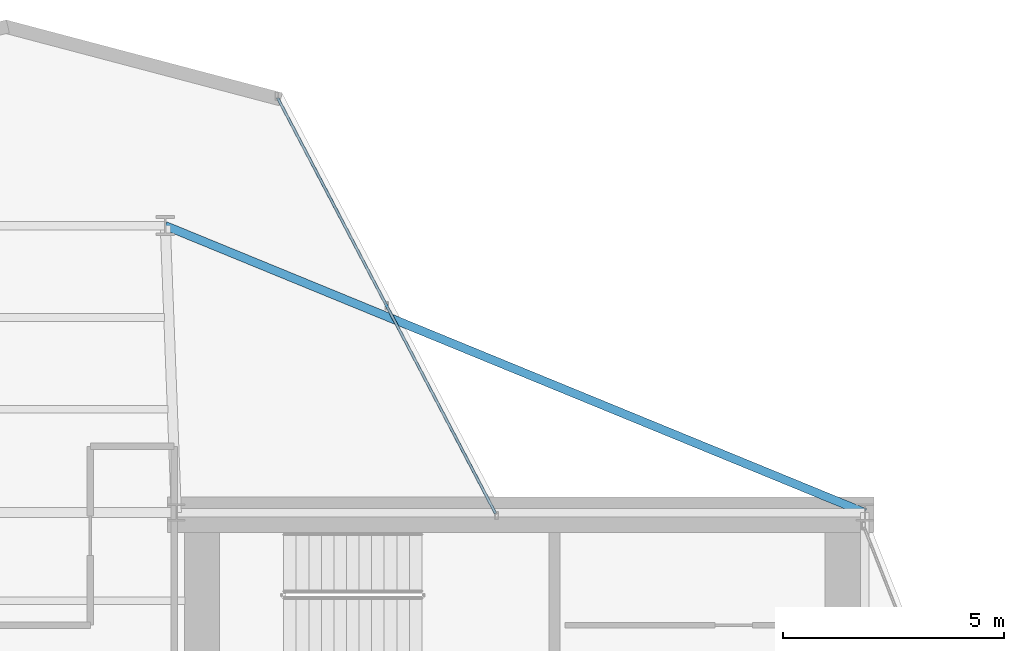
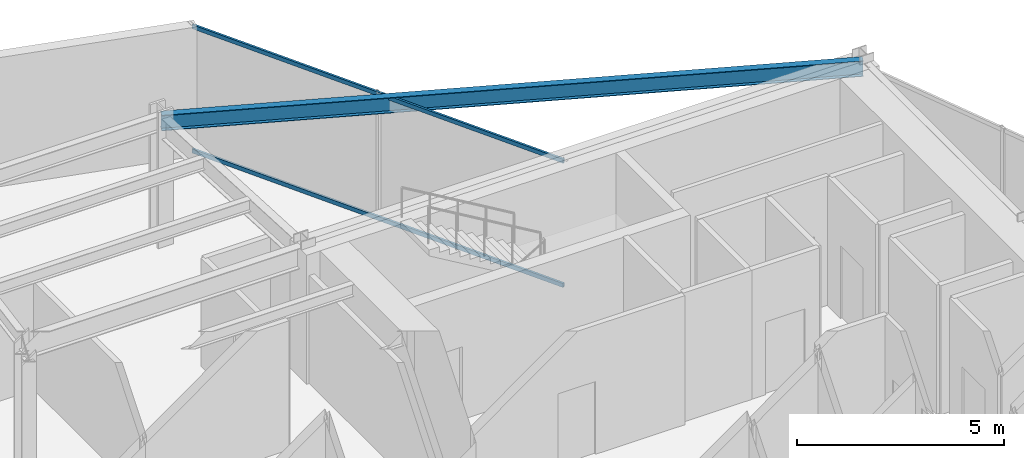
# One storey, part 16 of 25: 2 members, 1 beam, 1 element without a shape of its own.
"""IFC4 building model written with IfcOpenShell, lengths in metres."""

from ifc_helpers import new_model, si_unit, direction, frame, origin, origin_2d, place, context, subcontext, project, spatial, hollow_rectangle, i_section, extrude, material, layer, layer_set, material_profile, profile_set, type_object, element, aggregate, save


model = new_model("IFC4")

# Units and contexts
model_context = context("Model", 3, precision=1e-05, world=origin(), true_north=direction((0.0, 1.0)))
body_context = subcontext(model_context, "Body", "Model", "MODEL_VIEW")
ifc_project = project(units=[si_unit("LENGTHUNIT", "METRE"), si_unit("AREAUNIT", "SQUARE_METRE"), si_unit("VOLUMEUNIT", "CUBIC_METRE"), si_unit("PLANEANGLEUNIT", "RADIAN"), si_unit("MASSUNIT", "GRAM", prefix="KILO")], contexts=[model_context])

# Site, building, storey
site_placement = place(None, origin())
site = spatial("IfcSite", under=ifc_project, at=site_placement, CompositionType="ELEMENT")
building_placement = place(site_placement, origin())
building = spatial("IfcBuilding", under=site, at=building_placement, Name="Veymaron Broadcast Tower", CompositionType="ELEMENT")
storey_placement = place(building_placement, frame((0.0, 0.0, 145.199951171875)))
storey = spatial("IfcBuildingStorey", under=building, at=storey_placement, Name="L33", CompositionType="ELEMENT", Elevation=145.199951171875)

# Beam
ifc_material_1 = material(Name="Structural steel ASTM A992 Gr 50", Category="steel")
ifc_material_profile_1 = material_profile(ifc_material_1, i_section(OverallWidth=0.19091796875, OverallDepth=0.4599609375, WebThickness=0.010009765625, FlangeThickness=0.01611328125, at=origin_2d()), Name="W460X82")
ifc_profile_set_1 = profile_set([ifc_material_profile_1], Name="Structural steel ASTM A992 Gr 50")
beam_type = type_object("IfcBeamType", Name="BM-SP1", PredefinedType="SPANDREL", material=ifc_profile_set_1)
beam_placement = place(storey_placement, frame((54.60009765625, 32.0, 3.580078125), z_axis=(-0.925221989394, 0.379426238342, 0.0), x_axis=(-0.379426238342, -0.925221989394, 0.0)))
element("IfcBeam", 1, at=beam_placement, inside=storey, type_object=beam_type, Name="L33 primary structural floor girder", PredefinedType="SPANDREL", context=body_context, shape_type="SweptSolid", body=[
    extrude(i_section(OverallWidth=0.19091796875, OverallDepth=0.4599609375, WebThickness=0.010009765625, FlangeThickness=0.01611328125, at=origin_2d()), origin(), (0.0, 0.0, 1.0), 17.131103515625),
])

# Curtain wall, members
ifc_material_2 = material(Name="Anodised aluminium AA 6063-T6 and laminated low-E dark glass", Category="aluminium")
ifc_layer = layer(ifc_material_2, 0.179931640625)
ifc_layer_set = layer_set([ifc_layer], Name="Anodised aluminium AA 6063-T6 and laminated low-E dark glass")
curtain_wall_type = type_object("IfcCurtainWallType", Name="CW-SYS-03", PredefinedType="NOTDEFINED", material=ifc_layer_set)
curtain_wall_placement = place(storey_placement, origin())
curtain_wall = element("IfcCurtainWall", 2, at=curtain_wall_placement, inside=storey, type_object=curtain_wall_type, Name="L33 dark-glass curtain wall CW-L33-E5-1", PredefinedType="NOTDEFINED")
ifc_material_3 = material(Name="Anodised aluminium AA 6063-T6", Category="aluminium")
ifc_material_profile_2 = material_profile(ifc_material_3, hollow_rectangle(XDim=0.06005859375, YDim=0.1201171875, WallThickness=0.00390625, at=origin_2d()), Name="AL120X60X4")
ifc_profile_set_2 = profile_set([ifc_material_profile_2], Name="Anodised aluminium AA 6063-T6")
member_type = type_object("IfcMemberType", Name="CW-TRN-02", PredefinedType="USERDEFINED", material=ifc_profile_set_2)
member_1_placement = place(storey_placement, frame((46.233154296875, 31.979248046875, 0.070068359375), z_axis=(-0.464469622178, 0.885589052594, 0.0), x_axis=(-0.885589052594, -0.464469622178, 0.0)))
member_1 = element("IfcMember", 3, at=member_1_placement, type_object=member_type, Name="CW-L33-E5-1 transom B", ObjectType="TRANSOM", PredefinedType="USERDEFINED", context=body_context, shape_type="SweptSolid", body=[
    extrude(hollow_rectangle(XDim=0.06005859375, YDim=0.1201171875, WallThickness=0.00390625, at=origin_2d()), origin(), (0.0, 0.0, 1.0), 10.627197265625),
])
member_2_placement = place(storey_placement, frame((46.233154296875, 31.979248046875, 3.739990234375), z_axis=(-0.464469622178, 0.885589052594, 0.0), x_axis=(-0.885589052594, -0.464469622178, 0.0)))
member_2 = element("IfcMember", 4, at=member_2_placement, type_object=member_type, Name="CW-L33-E5-1 transom T", ObjectType="TRANSOM", PredefinedType="USERDEFINED", context=body_context, shape_type="SweptSolid", body=[
    extrude(hollow_rectangle(XDim=0.06005859375, YDim=0.1201171875, WallThickness=0.00390625, at=origin_2d()), origin(), (0.0, 0.0, 1.0), 10.627197265625),
])
aggregate(curtain_wall, [member_1, member_2])

save(model, "model.ifc")
